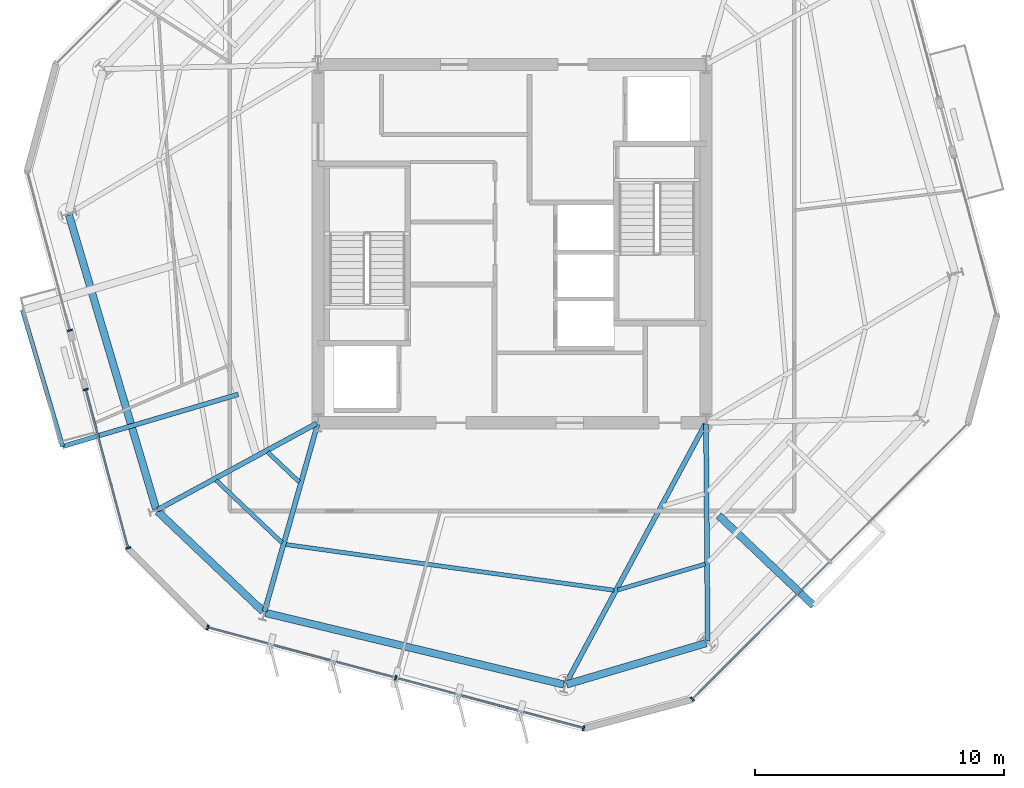
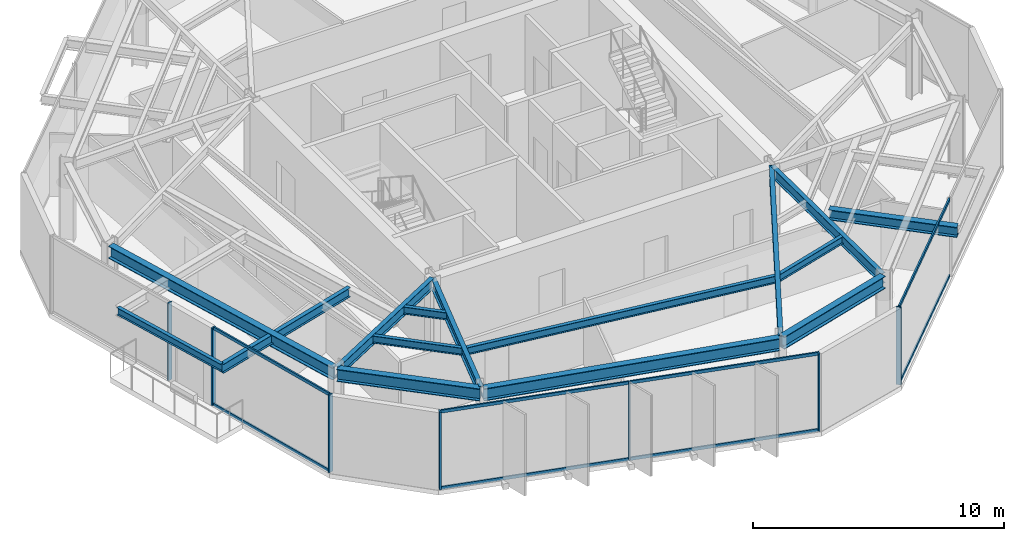
# One storey, part 2 of 12: 15 beams, 15 members, 4 elements without a shape of their own.
"""IFC4 building model written with IfcOpenShell, lengths in metres."""

from ifc_helpers import new_model, si_unit, direction, frame, origin, origin_2d, place, context, subcontext, project, spatial, rectangle, i_section, extrude, material, layer, layer_set, material_profile, profile_set, type_object, element, aggregate, save


model = new_model("IFC4")

# Units and contexts
model_context = context("Model", 3, precision=1e-05, world=origin(), true_north=direction((0.0, 1.0)))
body_context = subcontext(model_context, "Body", "Model", "MODEL_VIEW")
ifc_project = project(units=[si_unit("LENGTHUNIT", "METRE"), si_unit("AREAUNIT", "SQUARE_METRE"), si_unit("VOLUMEUNIT", "CUBIC_METRE"), si_unit("PLANEANGLEUNIT", "RADIAN"), si_unit("MASSUNIT", "GRAM", prefix="KILO")], contexts=[model_context])

# Site, building, storey
site_placement = place(None, origin())
site = spatial("IfcSite", under=ifc_project, at=site_placement, CompositionType="ELEMENT")
building_placement = place(site_placement, origin())
building = spatial("IfcBuilding", under=site, at=building_placement, Name="Kranzbogen Civic Tower", CompositionType="ELEMENT")
storey_placement = place(building_placement, frame((0.0, 0.0, 204.800048828125)))
storey = spatial("IfcBuildingStorey", under=building, at=storey_placement, Name="L49", CompositionType="ELEMENT", Elevation=204.800048828125)

# Beam
ifc_material_1 = material(Name="Steel S355", Category="steel")
ifc_material_profile_1 = material_profile(ifc_material_1, i_section(OverallWidth=0.18994140625, OverallDepth=0.449951171875, WebThickness=0.009521484375, FlangeThickness=0.0146484375, at=origin_2d()), Name="IPE 450")
ifc_profile_set_1 = profile_set([ifc_material_profile_1], Name="Steel S355")
beam_type_1 = type_object("IfcBeamType", Name="Braced Terrace Edge Beam IPE 450", PredefinedType="BEAM", material=ifc_profile_set_1)
beam_1_placement = place(storey_placement, frame((13.992919921875, 18.94091796875, 3.494873046875), z_axis=(-0.958798112708, -0.284088329691, 0.0), x_axis=(0.284088329691, -0.958798112708, 0.0)))
element("IfcBeam", 1, at=beam_1_placement, inside=storey, type_object=beam_type_1, Name="L50 back-spanned terrace beam L50-ST-2", PredefinedType="BEAM", context=body_context, shape_type="SweptSolid", body=[
    extrude(i_section(OverallWidth=0.18994140625, OverallDepth=0.449951171875, WebThickness=0.009521484375, FlangeThickness=0.0146484375, at=origin_2d()), origin(), (0.0, 0.0, 1.0), 7.36328125),
])

# Curtain wall, member
ifc_material_2 = material(Name="Pale Anodised Aluminium", Category="aluminium")
ifc_layer = layer(ifc_material_2, 0.219970703125, Name="Pale Anodised Aluminium")
ifc_layer_set = layer_set([ifc_layer], Name="Pale Anodised Aluminium")
curtain_wall_type = type_object("IfcCurtainWallType", Name="Zone 3 Stick Curtain Wall System CW-04", PredefinedType="USERDEFINED", material=ifc_layer_set)
curtain_wall_1_placement = place(storey_placement, origin())
curtain_wall_1 = element("IfcCurtainWall", 2, at=curtain_wall_1_placement, inside=storey, type_object=curtain_wall_type, Name="L49 curtain wall CW-L49-F3-S1", ObjectType="STICK CURTAIN WALL", PredefinedType="USERDEFINED")
ifc_material_profile_2 = material_profile(ifc_material_2, rectangle(XDim=0.070068359375, YDim=0.199951171875, at=origin_2d()), Name="ALU-M 70x200")
ifc_profile_set_2 = profile_set([ifc_material_profile_2], Name="Pale Anodised Aluminium")
member_type_1 = type_object("IfcMemberType", Name="Curtain Wall Mullion ALU-M 70x200", PredefinedType="MULLION", material=ifc_profile_set_2)
member_1_placement = place(storey_placement, frame((7.225341796875, 21.510986328125, 0.0), z_axis=(0.0, 0.0, 1.0), x_axis=(0.258803696103, -0.96592993891, 0.0)))
member_1 = element("IfcMember", 3, at=member_1_placement, type_object=member_type_1, Name="CW-04 mullion 2", PredefinedType="MULLION", context=body_context, shape_type="SweptSolid", body=[
    extrude(rectangle(XDim=0.070068359375, YDim=0.199951171875, at=origin_2d()), origin(), (0.0, 0.0, 1.0), 3.780029296875),
])
aggregate(curtain_wall_1, [member_1])

# Curtain wall, members
curtain_wall_2_placement = place(storey_placement, origin())
curtain_wall_2 = element("IfcCurtainWall", 4, at=curtain_wall_2_placement, inside=storey, type_object=curtain_wall_type, Name="L49 curtain wall CW-L49-F3-S2", ObjectType="STICK CURTAIN WALL", PredefinedType="USERDEFINED")
member_2_placement = place(storey_placement, frame((7.86181640625, 19.135009765625, 0.0), z_axis=(0.0, 0.0, 1.0), x_axis=(0.25890633069, -0.965902433959, 0.0)))
member_2 = element("IfcMember", 5, at=member_2_placement, type_object=member_type_1, Name="CW-04 mullion 1", PredefinedType="MULLION", context=body_context, shape_type="SweptSolid", body=[
    extrude(rectangle(XDim=0.070068359375, YDim=0.199951171875, at=origin_2d()), origin(), (0.0, 0.0, 1.0), 3.780029296875),
])
member_3_placement = place(storey_placement, frame((9.5693359375, 12.764892578125, 0.0), z_axis=(0.0, 0.0, 1.0), x_axis=(0.25890633069, -0.965902433959, 0.0)))
member_3 = element("IfcMember", 6, at=member_3_placement, type_object=member_type_1, Name="CW-04 mullion 2", PredefinedType="MULLION", context=body_context, shape_type="SweptSolid", body=[
    extrude(rectangle(XDim=0.070068359375, YDim=0.199951171875, at=origin_2d()), origin(), (0.0, 0.0, 1.0), 3.780029296875),
])

curtain_wall_3_placement = place(storey_placement, origin())
curtain_wall_3 = element("IfcCurtainWall", 7, at=curtain_wall_3_placement, inside=storey, type_object=curtain_wall_type, Name="L49 curtain wall CW-L49-F4", ObjectType="STICK CURTAIN WALL", PredefinedType="USERDEFINED")
member_4_placement = place(storey_placement, frame((12.764892578125, 9.5693359375, 0.0), z_axis=(0.0, 0.0, 1.0), x_axis=(0.965919350079, -0.25884321344, 0.0)))
member_4 = element("IfcMember", 8, at=member_4_placement, type_object=member_type_1, Name="CW-04 mullion 1", PredefinedType="MULLION", context=body_context, shape_type="SweptSolid", body=[
    extrude(rectangle(XDim=0.070068359375, YDim=0.199951171875, at=origin_2d()), origin(), (0.0, 0.0, 1.0), 3.780029296875),
])
member_5_placement = place(storey_placement, frame((20.322509765625, 7.5439453125, 0.0), z_axis=(0.0, 0.0, 1.0), x_axis=(0.965919350079, -0.25884321344, 0.0)))
member_5 = element("IfcMember", 9, at=member_5_placement, type_object=member_type_1, Name="CW-04 mullion 2", PredefinedType="MULLION", context=body_context, shape_type="SweptSolid", body=[
    extrude(rectangle(XDim=0.070068359375, YDim=0.199951171875, at=origin_2d()), origin(), (0.0, 0.0, 1.0), 3.780029296875),
])
member_6_placement = place(storey_placement, frame((27.880126953125, 5.518798828125, 0.0), z_axis=(0.0, 0.0, 1.0), x_axis=(0.965919350079, -0.25884321344, 0.0)))
member_6 = element("IfcMember", 10, at=member_6_placement, type_object=member_type_1, Name="CW-04 mullion 3", PredefinedType="MULLION", context=body_context, shape_type="SweptSolid", body=[
    extrude(rectangle(XDim=0.070068359375, YDim=0.199951171875, at=origin_2d()), origin(), (0.0, 0.0, 1.0), 3.780029296875),
])

# Curtain wall, member
curtain_wall_4_placement = place(storey_placement, origin())
curtain_wall_4 = element("IfcCurtainWall", 11, at=curtain_wall_4_placement, inside=storey, type_object=curtain_wall_type, Name="L49 curtain wall CW-L49-F5", ObjectType="STICK CURTAIN WALL", PredefinedType="USERDEFINED")
member_7_placement = place(storey_placement, frame((32.24609375, 6.689208984375, 0.0), z_axis=(0.0, 0.0, 1.0), x_axis=(0.707106781187, 0.707106781187, 0.0)))
member_7 = element("IfcMember", 12, at=member_7_placement, type_object=member_type_1, Name="CW-04 mullion 1", PredefinedType="MULLION", context=body_context, shape_type="SweptSolid", body=[
    extrude(rectangle(XDim=0.070068359375, YDim=0.199951171875, at=origin_2d()), origin(), (0.0, 0.0, 1.0), 3.780029296875),
])

# Member
ifc_material_profile_3 = material_profile(ifc_material_2, rectangle(XDim=0.070068359375, YDim=0.14990234375, at=origin_2d()), Name="ALU-T 70x150")
ifc_profile_set_3 = profile_set([ifc_material_profile_3], Name="Pale Anodised Aluminium")
member_type_2 = type_object("IfcMemberType", Name="Curtain Wall Transom ALU-T 70x150", PredefinedType="USERDEFINED", material=ifc_profile_set_3)
member_8_placement = place(storey_placement, frame((7.86962890625, 19.10595703125, 0.030029296875), z_axis=(0.258904150865, -0.96590301825, 0.0), x_axis=(0.96590301825, 0.258904150865, 0.0)))
member_8 = element("IfcMember", 13, at=member_8_placement, type_object=member_type_2, Name="CW-04 transom 1.1", ObjectType="TRANSOM", PredefinedType="USERDEFINED", context=body_context, shape_type="SweptSolid", body=[
    extrude(rectangle(XDim=0.070068359375, YDim=0.14990234375, at=origin_2d()), origin(), (0.0, 0.0, 1.0), 6.534912109375),
])

member_9_placement = place(storey_placement, frame((7.86962890625, 19.10595703125, 3.75), z_axis=(0.258904150865, -0.96590301825, 0.0), x_axis=(0.96590301825, 0.258904150865, 0.0)))
member_9 = element("IfcMember", 14, at=member_9_placement, type_object=member_type_2, Name="CW-04 transom 1.2", ObjectType="TRANSOM", PredefinedType="USERDEFINED", context=body_context, shape_type="SweptSolid", body=[
    extrude(rectangle(XDim=0.070068359375, YDim=0.14990234375, at=origin_2d()), origin(), (0.0, 0.0, 1.0), 6.534912109375),
])

aggregate(curtain_wall_2, [member_2, member_3, member_8, member_9])

member_10_placement = place(storey_placement, frame((12.7939453125, 9.5615234375, 0.030029296875), z_axis=(0.965916889874, -0.258852393953, 0.0), x_axis=(0.258852393953, 0.965916889874, 0.0)))
member_10 = element("IfcMember", 15, at=member_10_placement, type_object=member_type_2, Name="CW-04 transom 1.1", ObjectType="TRANSOM", PredefinedType="USERDEFINED", context=body_context, shape_type="SweptSolid", body=[
    extrude(rectangle(XDim=0.070068359375, YDim=0.14990234375, at=origin_2d()), origin(), (0.0, 0.0, 1.0), 7.76416015625),
])

member_11_placement = place(storey_placement, frame((12.7939453125, 9.5615234375, 3.75), z_axis=(0.965916889874, -0.258852393953, 0.0), x_axis=(0.258852393953, 0.965916889874, 0.0)))
member_11 = element("IfcMember", 16, at=member_11_placement, type_object=member_type_2, Name="CW-04 transom 1.2", ObjectType="TRANSOM", PredefinedType="USERDEFINED", context=body_context, shape_type="SweptSolid", body=[
    extrude(rectangle(XDim=0.070068359375, YDim=0.14990234375, at=origin_2d()), origin(), (0.0, 0.0, 1.0), 7.76416015625),
])

member_12_placement = place(storey_placement, frame((20.3515625, 7.5361328125, 0.030029296875), z_axis=(0.965924751597, -0.258823055876, 0.0), x_axis=(0.258823055876, 0.965924751597, 0.0)))
member_12 = element("IfcMember", 17, at=member_12_placement, type_object=member_type_2, Name="CW-04 transom 2.1", ObjectType="TRANSOM", PredefinedType="USERDEFINED", context=body_context, shape_type="SweptSolid", body=[
    extrude(rectangle(XDim=0.070068359375, YDim=0.14990234375, at=origin_2d()), origin(), (0.0, 0.0, 1.0), 7.76416015625),
])

member_13_placement = place(storey_placement, frame((20.3515625, 7.5361328125, 3.75), z_axis=(0.965924751597, -0.258823055876, 0.0), x_axis=(0.258823055876, 0.965924751597, 0.0)))
member_13 = element("IfcMember", 18, at=member_13_placement, type_object=member_type_2, Name="CW-04 transom 2.2", ObjectType="TRANSOM", PredefinedType="USERDEFINED", context=body_context, shape_type="SweptSolid", body=[
    extrude(rectangle(XDim=0.070068359375, YDim=0.14990234375, at=origin_2d()), origin(), (0.0, 0.0, 1.0), 7.76416015625),
])

aggregate(curtain_wall_3, [member_4, member_5, member_6, member_10, member_11, member_12, member_13])

member_14_placement = place(storey_placement, frame((32.267333984375, 6.71044921875, 0.030029296875), z_axis=(0.70712250393, 0.707091058094, 0.0), x_axis=(-0.707091058094, 0.70712250393, 0.0)))
member_14 = element("IfcMember", 19, at=member_14_placement, type_object=member_type_2, Name="CW-04 transom 1.1", ObjectType="TRANSOM", PredefinedType="USERDEFINED", context=body_context, shape_type="SweptSolid", body=[
    extrude(rectangle(XDim=0.070068359375, YDim=0.14990234375, at=origin_2d()), origin(), (0.0, 0.0, 1.0), 7.763916015625),
])

member_15_placement = place(storey_placement, frame((32.267333984375, 6.71044921875, 3.75), z_axis=(0.70712250393, 0.707091058094, 0.0), x_axis=(-0.707091058094, 0.70712250393, 0.0)))
member_15 = element("IfcMember", 20, at=member_15_placement, type_object=member_type_2, Name="CW-04 transom 1.2", ObjectType="TRANSOM", PredefinedType="USERDEFINED", context=body_context, shape_type="SweptSolid", body=[
    extrude(rectangle(XDim=0.070068359375, YDim=0.14990234375, at=origin_2d()), origin(), (0.0, 0.0, 1.0), 7.763916015625),
])

aggregate(curtain_wall_4, [member_7, member_14, member_15])

# Beams
ifc_material_profile_4 = material_profile(ifc_material_1, i_section(OverallWidth=0.300048828125, OverallDepth=0.5, WebThickness=0.014404296875, FlangeThickness=0.028076171875, at=origin_2d()), Name="HEB 500")
ifc_profile_set_4 = profile_set([ifc_material_profile_4], Name="Steel S355")
beam_type_2 = type_object("IfcBeamType", Name="Perimeter Tube Spandrel Beam HEB 500", PredefinedType="SPANDREL", material=ifc_profile_set_4)
beam_2_placement = place(storey_placement, frame((33.306884765625, 14.070068359375, 3.5), z_axis=(0.725296873396, -0.688436231936, 0.0), x_axis=(0.688436231936, 0.725296873396, 0.0)))
element("IfcBeam", 21, at=beam_2_placement, inside=storey, type_object=beam_type_2, Name="L50 back-spanned terrace beam L50-TB2-1", PredefinedType="SPANDREL", context=body_context, shape_type="SweptSolid", body=[
    extrude(i_section(OverallWidth=0.300048828125, OverallDepth=0.5, WebThickness=0.014404296875, FlangeThickness=0.028076171875, at=origin_2d()), origin(), (0.0, 0.0, 1.0), 5.265625),
])
ifc_material_profile_5 = material_profile(ifc_material_1, i_section(OverallWidth=0.300048828125, OverallDepth=0.60009765625, WebThickness=0.015380859375, FlangeThickness=0.030029296875, at=origin_2d()), Name="HEB 600")
ifc_profile_set_5 = profile_set([ifc_material_profile_5], Name="Steel S355")
beam_type_3 = type_object("IfcBeamType", Name="Perimeter Tube Spandrel Beam HEB 600", PredefinedType="SPANDREL", material=ifc_profile_set_5)
beam_3_placement = place(storey_placement, frame((10.7509765625, 14.235107421875, 3.47998046875), z_axis=(0.725245206788, -0.688490660816, 0.0), x_axis=(0.688490660816, 0.725245206788, 0.0)))
element("IfcBeam", 22, at=beam_3_placement, inside=storey, type_object=beam_type_3, Name="L49 perimeter spandrel beam 01", PredefinedType="SPANDREL", context=body_context, shape_type="SweptSolid", body=[
    extrude(i_section(OverallWidth=0.300048828125, OverallDepth=0.60009765625, WebThickness=0.015380859375, FlangeThickness=0.030029296875, at=origin_2d()), origin(), (0.0, 0.0, 1.0), 5.85205078125),
])
beam_4_placement = place(storey_placement, frame((15.096923828125, 10.15087890625, 3.47998046875), z_axis=(0.972377592092, -0.233413406637, 0.0), x_axis=(0.233413406637, 0.972377592092, 0.0)))
element("IfcBeam", 23, at=beam_4_placement, inside=storey, type_object=beam_type_3, Name="L49 perimeter spandrel beam 02", PredefinedType="SPANDREL", context=body_context, shape_type="SweptSolid", body=[
    extrude(i_section(OverallWidth=0.300048828125, OverallDepth=0.60009765625, WebThickness=0.015380859375, FlangeThickness=0.030029296875, at=origin_2d()), origin(), (0.0, 0.0, 1.0), 12.32568359375),
])
beam_5_placement = place(storey_placement, frame((27.197998046875, 7.277099609375, 3.47998046875), z_axis=(0.9588296723, 0.283981794341, 0.0), x_axis=(-0.283981794341, 0.9588296723, 0.0)))
element("IfcBeam", 24, at=beam_5_placement, inside=storey, type_object=beam_type_3, Name="L49 perimeter spandrel beam 03", PredefinedType="SPANDREL", context=body_context, shape_type="SweptSolid", body=[
    extrude(i_section(OverallWidth=0.300048828125, OverallDepth=0.60009765625, WebThickness=0.015380859375, FlangeThickness=0.030029296875, at=origin_2d()), origin(), (0.0, 0.0, 1.0), 5.85205078125),
])
beam_6_placement = place(storey_placement, frame((7.18896484375, 26.15087890625, 3.47998046875), z_axis=(0.284064048956, -0.958805306666, 0.0), x_axis=(0.958805306666, 0.284064048956, 0.0)))
element("IfcBeam", 25, at=beam_6_placement, inside=storey, type_object=beam_type_3, Name="L49 perimeter spandrel beam 12", PredefinedType="SPANDREL", context=body_context, shape_type="SweptSolid", body=[
    extrude(i_section(OverallWidth=0.300048828125, OverallDepth=0.60009765625, WebThickness=0.015380859375, FlangeThickness=0.030029296875, at=origin_2d()), origin(), (0.0, 0.0, 1.0), 12.32470703125),
])
ifc_material_profile_6 = material_profile(ifc_material_1, i_section(OverallWidth=0.199951171875, OverallDepth=0.5, WebThickness=0.01025390625, FlangeThickness=0.01611328125, at=origin_2d()), Name="IPE 500")
ifc_profile_set_6 = profile_set([ifc_material_profile_6], Name="Steel S355")
beam_type_4 = type_object("IfcBeamType", Name="Radial Tower Floor Girder IPE 500", PredefinedType="BEAM", material=ifc_profile_set_6)
beam_7_placement = place(storey_placement, frame((10.760009765625, 14.304931640625, 3.530029296875), z_axis=(0.878919430102, 0.476970266777, 0.0), x_axis=(-0.476970266777, 0.878919430102, 0.0)))
element("IfcBeam", 26, at=beam_7_placement, inside=storey, type_object=beam_type_4, Name="L49 radial floor girder 01", PredefinedType="BEAM", context=body_context, shape_type="SweptSolid", body=[
    extrude(i_section(OverallWidth=0.199951171875, OverallDepth=0.5, WebThickness=0.01025390625, FlangeThickness=0.01611328125, at=origin_2d()), origin(), (0.0, 0.0, 1.0), 7.266845703125),
])
beam_8_placement = place(storey_placement, frame((15.054931640625, 10.222900390625, 3.530029296875), z_axis=(0.272455078988, 0.962168503919, 0.0), x_axis=(-0.962168503919, 0.272455078988, 0.0)))
element("IfcBeam", 27, at=beam_8_placement, inside=storey, type_object=beam_type_4, Name="L49 radial floor girder 02", PredefinedType="BEAM", context=body_context, shape_type="SweptSolid", body=[
    extrude(i_section(OverallWidth=0.199951171875, OverallDepth=0.5, WebThickness=0.01025390625, FlangeThickness=0.01611328125, at=origin_2d()), origin(), (0.0, 0.0, 1.0), 7.814697265625),
])
beam_9_placement = place(storey_placement, frame((27.16796875, 7.31298828125, 3.530029296875), z_axis=(0.473160413549, 0.880976289721, 0.0), x_axis=(-0.880976289721, 0.473160413549, 0.0)))
element("IfcBeam", 28, at=beam_9_placement, inside=storey, type_object=beam_type_4, Name="L49 radial floor girder 03", PredefinedType="BEAM", context=body_context, shape_type="SweptSolid", body=[
    extrude(i_section(OverallWidth=0.199951171875, OverallDepth=0.5, WebThickness=0.01025390625, FlangeThickness=0.01611328125, at=origin_2d()), origin(), (0.0, 0.0, 1.0), 11.84375),
])
beam_10_placement = place(storey_placement, frame((32.866943359375, 9.01611328125, 3.530029296875), z_axis=(-0.007667756557, 0.999970602323, 0.0), x_axis=(-0.999970602323, -0.007667756557, 0.0)))
element("IfcBeam", 29, at=beam_10_placement, inside=storey, type_object=beam_type_4, Name="L49 radial floor girder 04", PredefinedType="BEAM", context=body_context, shape_type="SweptSolid", body=[
    extrude(i_section(OverallWidth=0.199951171875, OverallDepth=0.5, WebThickness=0.01025390625, FlangeThickness=0.01611328125, at=origin_2d()), origin(), (0.0, 0.0, 1.0), 8.72412109375),
])
ifc_material_profile_7 = material_profile(ifc_material_1, i_section(OverallWidth=0.169921875, OverallDepth=0.360107421875, WebThickness=0.008056640625, FlangeThickness=0.0126953125, at=origin_2d()), Name="IPE 360")
ifc_profile_set_7 = profile_set([ifc_material_profile_7], Name="Steel S355")
beam_type_5 = type_object("IfcBeamType", Name="Secondary Composite Floor Joist IPE 360", PredefinedType="JOIST", material=ifc_profile_set_7)
beam_11_placement = place(storey_placement, frame((13.10302734375, 15.489990234375, 3.599853515625), z_axis=(0.725300648604, -0.688432254572, 0.0), x_axis=(0.688432254572, 0.725300648604, 0.0)))
element("IfcBeam", 30, at=beam_11_placement, inside=storey, type_object=beam_type_5, Name="L49 secondary floor joist 1.01", PredefinedType="JOIST", context=body_context, shape_type="SweptSolid", body=[
    extrude(i_section(OverallWidth=0.169921875, OverallDepth=0.360107421875, WebThickness=0.008056640625, FlangeThickness=0.0126953125, at=origin_2d()), origin(), (0.0, 0.0, 1.0), 3.661865234375),
])
beam_12_placement = place(storey_placement, frame((15.179931640625, 16.616943359375, 3.599853515625), z_axis=(0.725479767774, -0.688243493649, 0.0), x_axis=(0.688243493649, 0.725479767774, 0.0)))
element("IfcBeam", 31, at=beam_12_placement, inside=storey, type_object=beam_type_5, Name="L49 secondary floor joist 2.01", PredefinedType="JOIST", context=body_context, shape_type="SweptSolid", body=[
    extrude(i_section(OverallWidth=0.169921875, OverallDepth=0.360107421875, WebThickness=0.008056640625, FlangeThickness=0.0126953125, at=origin_2d()), origin(), (0.0, 0.0, 1.0), 1.75048828125),
])
beam_13_placement = place(storey_placement, frame((15.89599609375, 12.903076171875, 3.599853515625), z_axis=(0.990445837232, -0.137902296968, 0.0), x_axis=(0.137902296968, 0.990445837232, 0.0)))
element("IfcBeam", 32, at=beam_13_placement, inside=storey, type_object=beam_type_5, Name="L49 secondary floor joist 1.02", PredefinedType="JOIST", context=body_context, shape_type="SweptSolid", body=[
    extrude(i_section(OverallWidth=0.169921875, OverallDepth=0.360107421875, WebThickness=0.008056640625, FlangeThickness=0.0126953125, at=origin_2d()), origin(), (0.0, 0.0, 1.0), 13.329345703125),
])
beam_14_placement = place(storey_placement, frame((29.25390625, 11.076904296875, 3.599853515625), z_axis=(0.958843823165, 0.283934011309, 0.0), x_axis=(-0.283934011309, 0.958843823165, 0.0)))
element("IfcBeam", 33, at=beam_14_placement, inside=storey, type_object=beam_type_5, Name="L49 secondary floor joist 1.03", PredefinedType="JOIST", context=body_context, shape_type="SweptSolid", body=[
    extrude(i_section(OverallWidth=0.169921875, OverallDepth=0.360107421875, WebThickness=0.008056640625, FlangeThickness=0.0126953125, at=origin_2d()), origin(), (0.0, 0.0, 1.0), 3.662841796875),
])
beam_15_placement = place(storey_placement, frame((5.318115234375, 22.327880859375, 3.5400390625), z_axis=(0.282744800257, -0.959195171968, 0.0), x_axis=(0.959195171968, 0.282744800257, 0.0)))
element("IfcBeam", 34, at=beam_15_placement, inside=storey, type_object=beam_type_5, Name="L50 terrace outer edge trimmer L50-ST", PredefinedType="JOIST", context=body_context, shape_type="SweptSolid", body=[
    extrude(i_section(OverallWidth=0.169921875, OverallDepth=0.360107421875, WebThickness=0.008056640625, FlangeThickness=0.0126953125, at=origin_2d()), origin(), (0.0, 0.0, 1.0), 5.7119140625),
])

save(model, "model.ifc")
